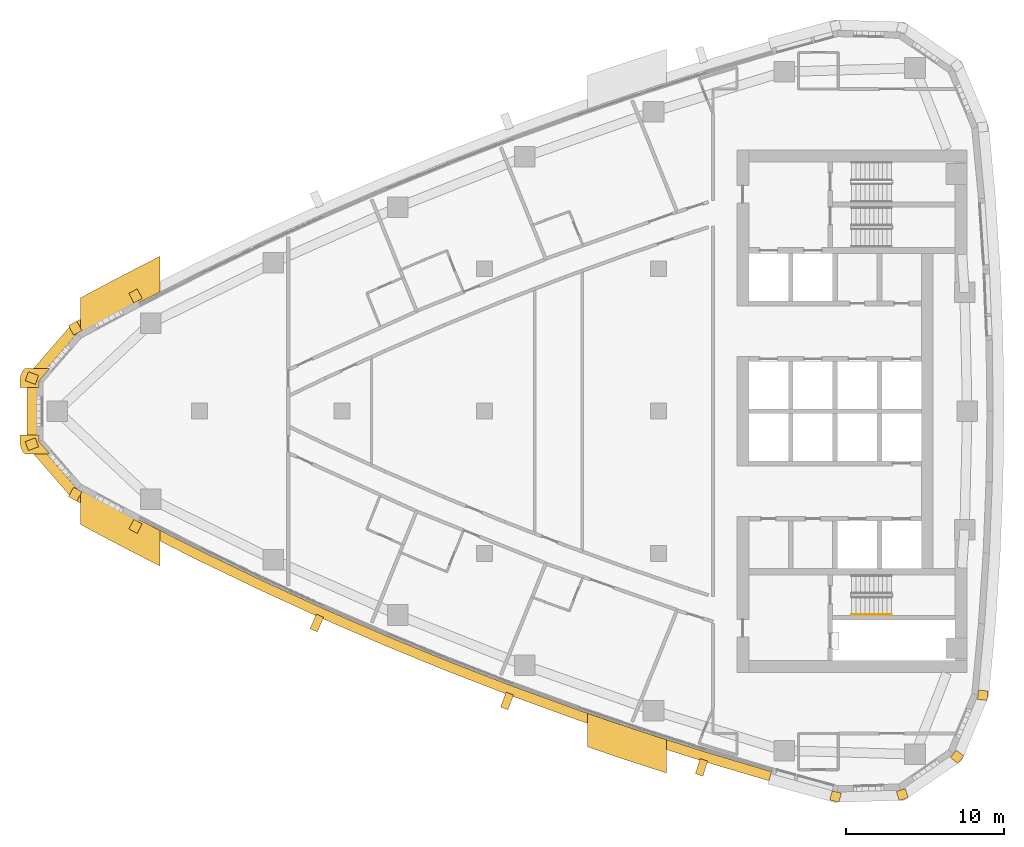
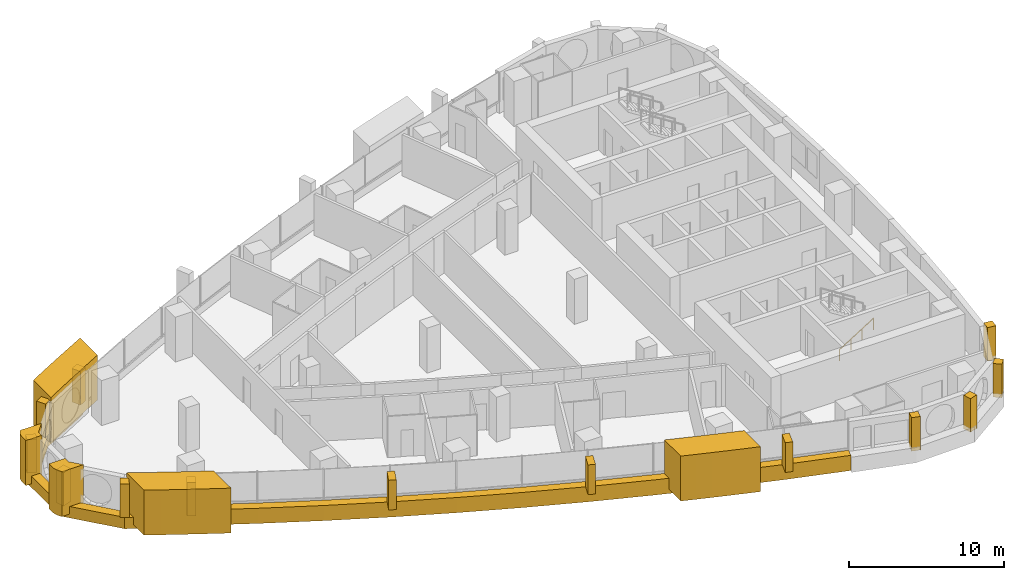
# One storey, part 14 of 17: 20 coverings, 1 railing.
"""IFC4 building model written with IfcOpenShell, lengths in metres."""

from ifc_helpers import new_model, si_unit, direction, frame, frame_2d, origin, origin_2d, place, context, subcontext, project, spatial, polyline, rectangle, circle, outline, extrude, material, layer, layer_set, type_object, element, save


model = new_model("IFC4")

# Units and contexts
model_context = context("Model", 3, precision=1e-05, world=origin(), true_north=direction((0.0, 1.0)))
body_context = subcontext(model_context, "Body", "Model", "MODEL_VIEW")
ifc_project = project(units=[si_unit("LENGTHUNIT", "METRE"), si_unit("AREAUNIT", "SQUARE_METRE"), si_unit("VOLUMEUNIT", "CUBIC_METRE"), si_unit("PLANEANGLEUNIT", "RADIAN"), si_unit("MASSUNIT", "GRAM", prefix="KILO")], contexts=[model_context])

# Site, building, storey
site_placement = place(None, origin())
site = spatial("IfcSite", under=ifc_project, at=site_placement, CompositionType="ELEMENT")
building_placement = place(site_placement, origin())
building = spatial("IfcBuilding", under=site, at=building_placement, Name="Ostrand Prow Hotel Tower", CompositionType="ELEMENT")
storey_placement = place(building_placement, frame((0.0, 0.0, 196.800048828125)))
storey = spatial("IfcBuildingStorey", under=building, at=storey_placement, Name="L49", CompositionType="ELEMENT", Elevation=196.800048828125)

# Coverings
ifc_material_1 = material(Name="Bronze anodised aluminium cladding", Category="aluminium")
ifc_layer_1 = layer(ifc_material_1, 0.60009765625)
ifc_layer_set_1 = layer_set([ifc_layer_1], Name="Bronze anodised aluminium cladding")
covering_type_1 = type_object("IfcCoveringType", Name="Bronze prow band 899x600", PredefinedType="CLADDING", material=ifc_layer_set_1)
covering_1_placement = place(storey_placement, frame((0.0, 0.0, -0.300048828125)))
element("IfcCovering", 1, at=covering_1_placement, inside=storey, type_object=covering_type_1, Name="Bronze prow band", PredefinedType="CLADDING", context=body_context, shape_type="SweptSolid", body=[
    extrude(outline(polyline([(11.8037109375, 7.58154296875), (7.9873046875, 5.546630859375), (5.09521484375, 2.20849609375), (5.09521484375, -2.20849609375), (7.9873046875, -5.546630859375), (11.8037109375, -7.58154296875), (12.117431640625, -6.978515625), (8.3134765625, -4.949951171875), (5.732421875, -1.970703125), (5.732421875, 1.970703125), (8.3134765625, 4.949951171875), (12.117431640625, 6.978515625), (11.8037109375, 7.58154296875)])), origin(), (0.0, 0.0, 1.0), 0.89990234375),
])
ifc_material_2 = material(Name="Bronze anodised aluminium cladding", Category="aluminium")
ifc_layer_2 = layer(ifc_material_2, 0.60009765625)
ifc_layer_set_2 = layer_set([ifc_layer_2], Name="Bronze anodised aluminium cladding")
covering_type_2 = type_object("IfcCoveringType", Name="Bronze spandrel band 1200x600", PredefinedType="CLADDING", material=ifc_layer_set_2)
covering_2_placement = place(storey_placement, frame((0.0, 0.0, -0.300048828125)))
element("IfcCovering", 2, at=covering_2_placement, inside=storey, type_object=covering_type_2, Name="Spandrel band S1", PredefinedType="CLADDING", context=body_context, shape_type="SweptSolid", body=[
    extrude(outline(polyline([(11.9052734375, -7.38623046875), (15.757568359375, -9.341796875), (19.648681640625, -11.219482421875), (23.57666015625, -13.0185546875), (27.5400390625, -14.738037109375), (31.537353515625, -16.37744140625), (35.566650390625, -17.93603515625), (39.626708984375, -19.4130859375), (43.7158203125, -20.80810546875), (47.831787109375, -22.12060546875), (51.9736328125, -23.35009765625), (52.138427734375, -22.773193359375), (48.00830078125, -21.547119140625), (43.90380859375, -20.23828125), (39.826171875, -18.84716796875), (35.777587890625, -17.374267578125), (31.759521484375, -15.820068359375), (27.773193359375, -14.185302734375), (23.821044921875, -12.470458984375), (19.90380859375, -10.676513671875), (16.023681640625, -8.80419921875), (12.18212890625, -6.85400390625), (11.9052734375, -7.38623046875)])), origin(), (0.0, 0.0, 1.0), 1.199951171875),
])
ifc_material_3 = material(Name="Limestone cladding", Category="masonry")
ifc_layer_3 = layer(ifc_material_3, 5.0)
ifc_layer_set_3 = layer_set([ifc_layer_3], Name="Limestone cladding")
covering_type_3 = type_object("IfcCoveringType", Name="Portal jamb pilaster limestone", PredefinedType="CLADDING", material=ifc_layer_set_3)
covering_3_placement = place(storey_placement, origin())
element("IfcCovering", 3, at=covering_3_placement, inside=storey, type_object=covering_type_3, Name="Portal jamb SA L49", PredefinedType="CLADDING", context=body_context, shape_type="SweptSolid", body=[
    extrude(outline(polyline([(8.5, -4.89208984375), (8.5, -7.1669921875), (9.5, -7.702392578125), (10.5, -8.231201171875), (11.5, -8.75341796875), (12.5, -9.268798828125), (13.5, -9.777587890625), (13.5, -7.533935546875), (12.5, -7.01904296875), (11.5, -6.497314453125), (10.5, -5.968994140625), (9.5, -5.43408203125), (8.5, -4.89208984375)])), origin(), (0.0, 0.0, 1.0), 3.550048828125),
])
covering_4_placement = place(storey_placement, origin())
element("IfcCovering", 4, at=covering_4_placement, inside=storey, type_object=covering_type_3, Name="Portal jamb SB L49", PredefinedType="CLADDING", context=body_context, shape_type="SweptSolid", body=[
    extrude(outline(polyline([(40.5, -19.08349609375), (40.5, -21.200439453125), (41.5, -21.542724609375), (42.5, -21.879638671875), (43.5, -22.211181640625), (44.5, -22.537109375), (45.5, -22.85791015625), (45.5, -20.75830078125), (44.5, -20.43408203125), (43.5, -20.104736328125), (42.5, -19.769775390625), (41.5, -19.429443359375), (40.5, -19.08349609375)])), origin(), (0.0, 0.0, 1.0), 3.550048828125),
])
covering_5_placement = place(storey_placement, origin())
element("IfcCovering", 5, at=covering_5_placement, inside=storey, type_object=covering_type_3, Name="Portal jamb NA L49", PredefinedType="CLADDING", context=body_context, shape_type="SweptSolid", body=[
    extrude(outline(polyline([(8.5, 4.89208984375), (9.5, 5.43408203125), (10.5, 5.968994140625), (11.5, 6.497314453125), (12.5, 7.01904296875), (13.5, 7.533935546875), (13.5, 9.777587890625), (12.5, 9.268798828125), (11.5, 8.75341796875), (10.5, 8.231201171875), (9.5, 7.702392578125), (8.5, 7.1669921875), (8.5, 4.89208984375)])), origin(), (0.0, 0.0, 1.0), 3.550048828125),
])
ifc_material_4 = material(Name="Limestone cladding", Category="masonry")
ifc_layer_4 = layer(ifc_material_4, 0.5)
ifc_layer_set_4 = layer_set([ifc_layer_4], Name="Limestone cladding")
covering_type_4 = type_object("IfcCoveringType", Name="Precast stone fin 500x900", PredefinedType="CLADDING", material=ifc_layer_set_4)
for number, where, z_axis, x_axis, name in (
    (6, (23.6171875, -12.92724609375, 0.89990234375), (0.0, 0.0, 1.0), (-0.407021798392, -0.913418444982, 0.0), "Stone fin S 4"),
    (7, (35.601806640625, -17.84228515625, 0.89990234375), (0.0, 0.0, 1.0), (-0.351310716449, -0.936258928133, 0.0), "Stone fin S 7"),
):
    element("IfcCovering", number, at=place(storey_placement, frame(where, z_axis=z_axis, x_axis=x_axis)), inside=storey, type_object=covering_type_4, Name=name, PredefinedType="CLADDING", context=body_context, shape_type="SweptSolid", body=[
        extrude(rectangle(XDim=1.0, YDim=0.5, at=frame_2d((0.5, 0.0))), origin(), (0.0, 0.0, 1.0), 2.35009765625),
    ])
covering_6_placement = place(storey_placement, frame((47.861083984375, -22.025146484375, 0.89990234375), z_axis=(0.0, 0.0, 1.0), x_axis=(-0.294017207984, -0.955800126287, 0.0)))
element("IfcCovering", 8, at=covering_6_placement, inside=storey, type_object=covering_type_4, Name="Stone fin S 10", PredefinedType="CLADDING", context=body_context, shape_type="SweptSolid", body=[
    extrude(rectangle(XDim=0.999755859375, YDim=0.5, at=frame_2d((0.5, 0.0))), origin(), (0.0, 0.0, 1.0), 2.35009765625),
])
ifc_material_5 = material(Name="Limestone cladding", Category="masonry")
ifc_layer_5 = layer(ifc_material_5, 0.60009765625)
ifc_layer_set_5 = layer_set([ifc_layer_5], Name="Limestone cladding")
covering_type_5 = type_object("IfcCoveringType", Name="Precast stone prow rib 600x600", PredefinedType="CLADDING", material=ifc_layer_set_5)
covering_7_placement = place(storey_placement, frame((12.117431640625, 6.978515625, 0.599853515625), z_axis=(0.0, 0.0, 1.0), x_axis=(-0.461522357319, 0.887128577882, 0.0)))
element("IfcCovering", 9, at=covering_7_placement, inside=storey, type_object=covering_type_5, Name="Stone prow rib 1", PredefinedType="CLADDING", context=body_context, shape_type="SweptSolid", body=[
    extrude(rectangle(XDim=0.6796875, YDim=0.60009765625, at=frame_2d((0.33984375, 0.0))), origin(), (0.0, 0.0, 1.0), 2.650146484375),
])
covering_8_placement = place(storey_placement, frame((8.3134765625, 4.949951171875, 0.599853515625), z_axis=(0.0, 0.0, 1.0), x_axis=(-0.479656876283, 0.877456141943, 0.0)))
element("IfcCovering", 10, at=covering_8_placement, inside=storey, type_object=covering_type_5, Name="Stone prow rib 2", PredefinedType="CLADDING", context=body_context, shape_type="SweptSolid", body=[
    extrude(rectangle(XDim=0.679931640625, YDim=0.60009765625, at=frame_2d((0.33984375, 0.0))), origin(), (0.0, 0.0, 1.0), 2.650146484375),
])
for number, where, z_axis, x_axis, name in (
    (11, (5.732421875, 1.970703125, 0.599853515625), (0.0, 0.0, 1.0), (-0.93688855374, 0.349628142277, 0.0), "Stone prow rib 3"),
    (12, (5.732421875, -1.970703125, 0.599853515625), (0.0, 0.0, 1.0), (-0.93688855374, -0.349628142277, 0.0), "Stone prow rib 4"),
):
    element("IfcCovering", number, at=place(storey_placement, frame(where, z_axis=z_axis, x_axis=x_axis)), inside=storey, type_object=covering_type_5, Name=name, PredefinedType="CLADDING", context=body_context, shape_type="SweptSolid", body=[
        extrude(rectangle(XDim=0.68017578125, YDim=0.60009765625, at=frame_2d((0.340087890625, 0.0))), origin(), (0.0, 0.0, 1.0), 2.650146484375),
    ])
covering_9_placement = place(storey_placement, frame((8.3134765625, -4.949951171875, 0.599853515625), z_axis=(0.0, 0.0, 1.0), x_axis=(-0.479656876283, -0.877456141943, 0.0)))
element("IfcCovering", 13, at=covering_9_placement, inside=storey, type_object=covering_type_5, Name="Stone prow rib 5", PredefinedType="CLADDING", context=body_context, shape_type="SweptSolid", body=[
    extrude(rectangle(XDim=0.679931640625, YDim=0.60009765625, at=frame_2d((0.33984375, 0.0))), origin(), (0.0, 0.0, 1.0), 2.650146484375),
])
covering_10_placement = place(storey_placement, frame((12.117431640625, -6.978515625, 0.599853515625), z_axis=(0.0, 0.0, 1.0), x_axis=(-0.461522357319, -0.887128577882, 0.0)))
element("IfcCovering", 14, at=covering_10_placement, inside=storey, type_object=covering_type_5, Name="Stone prow rib 6", PredefinedType="CLADDING", context=body_context, shape_type="SweptSolid", body=[
    extrude(rectangle(XDim=0.6796875, YDim=0.60009765625, at=frame_2d((0.33984375, 0.0))), origin(), (0.0, 0.0, 1.0), 2.650146484375),
])
for number, where, z_axis, x_axis, name in (
    (15, (56.256591796875, -24.05126953125, 0.599853515625), (0.0, 0.0, 1.0), (-0.255154261231, -0.966900358349, 0.0), "Stone corner rib 2a"),
    (16, (60.297607421875, -23.935302734375, 0.599853515625), (0.0, 0.0, 1.0), (0.310484329644, -0.950578498098, 0.0), "Stone corner rib 3a"),
    (17, (63.6279296875, -21.643798828125, 0.599853515625), (0.0, 0.0, 1.0), (0.776922530767, -0.62959620487, 0.0), "Stone corner rib 4a"),
    (18, (65.18017578125, -17.9111328125, 0.599853515625), (0.0, 0.0, 1.0), (0.994255138911, -0.107036062846, 0.0), "Stone corner rib 4b"),
):
    element("IfcCovering", number, at=place(storey_placement, frame(where, z_axis=z_axis, x_axis=x_axis)), inside=storey, type_object=covering_type_5, Name=name, PredefinedType="CLADDING", context=body_context, shape_type="SweptSolid", body=[
        extrude(rectangle(XDim=0.599853515625, YDim=0.60009765625, at=frame_2d((0.2998046875, 0.0))), origin(), (0.0, 0.0, 1.0), 2.650146484375),
    ])
ifc_material_6 = material(Name="Limestone cladding", Category="masonry")
ifc_layer_6 = layer(ifc_material_6, 3.0)
ifc_layer_set_6 = layer_set([ifc_layer_6], Name="Limestone cladding")
covering_type_6 = type_object("IfcCoveringType", Name="Prow nose pier limestone", PredefinedType="CLADDING", material=ifc_layer_set_6)
covering_11_placement = place(storey_placement, origin())
element("IfcCovering", 19, at=covering_11_placement, inside=storey, type_object=covering_type_6, Name="Prow spine fin N L49", PredefinedType="CLADDING", context=body_context, shape_type="SweptSolid", body=[
    extrude(outline(polyline([(4.663818359375, 1.921875), (4.663818359375, 1.5), (5.864013671875, 1.5), (5.864013671875, 1.921875), (6.5380859375, 2.699951171875), (4.950927734375, 2.699951171875), (4.881591796875, 2.611083984375), (4.816650390625, 2.507568359375), (4.762451171875, 2.39794921875), (4.719482421875, 2.283203125), (4.688720703125, 2.164794921875), (4.670166015625, 2.0439453125), (4.663818359375, 1.921875)])), origin(), (0.0, 0.0, 1.0), 3.550048828125),
])
covering_12_placement = place(storey_placement, origin())
element("IfcCovering", 20, at=covering_12_placement, inside=storey, type_object=covering_type_6, Name="Prow spine fin S L49", PredefinedType="CLADDING", context=body_context, shape_type="SweptSolid", body=[
    extrude(outline(polyline([(4.881591796875, -2.611083984375), (4.950927734375, -2.699951171875), (6.5380859375, -2.699951171875), (5.864013671875, -1.921875), (5.864013671875, -1.5), (4.663818359375, -1.5), (4.663818359375, -1.921875), (4.670166015625, -2.0439453125), (4.688720703125, -2.164794921875), (4.719482421875, -2.283203125), (4.762451171875, -2.39794921875), (4.816650390625, -2.507568359375), (4.881591796875, -2.611083984375)])), origin(), (0.0, 0.0, 1.0), 3.550048828125),
])

# Railing
ifc_material_7 = material(Name="Stainless steel", Category="steel")
railing_type = type_object("IfcRailingType", Name="Stair handrail 900", PredefinedType="HANDRAIL", material=ifc_material_7)
railing_placement = place(storey_placement, frame((57.199951171875, -12.85009765625, 0.177490234375)))
element("IfcRailing", 21, at=railing_placement, inside=storey, type_object=railing_type, Name="L49 ST2C stair handrail 1", PredefinedType="HANDRAIL", context=body_context, shape_type="SweptSolid", body=[
    extrude(circle(Radius=0.02392578125, at=origin_2d()), frame((0.0, 0.0, 0.8759765625), z_axis=(0.84460694969, 0.0, 0.535386869969), x_axis=(0.0, 1.0, 0.0)), (0.0, 0.0, 1.0), 2.983642578125),
    extrude(circle(Radius=0.02099609375, at=origin_2d()), origin(), (0.0, 0.0, 1.0), 0.851806640625),
    extrude(circle(Radius=0.02099609375, at=origin_2d()), frame((0.840087890625, 0.0, 0.532470703125)), (0.0, 0.0, 1.0), 0.851806640625),
    extrude(circle(Radius=0.02099609375, at=origin_2d()), frame((1.679931640625, 0.0, 1.06494140625)), (0.0, 0.0, 1.0), 0.851806640625),
    extrude(circle(Radius=0.02099609375, at=origin_2d()), frame((2.52001953125, 0.0, 1.597412109375)), (0.0, 0.0, 1.0), 0.851806640625),
])

save(model, "model.ifc")
